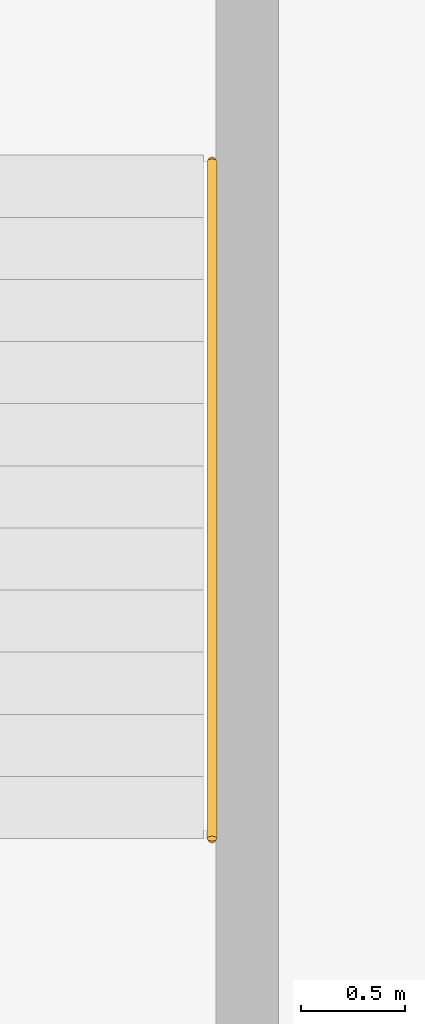
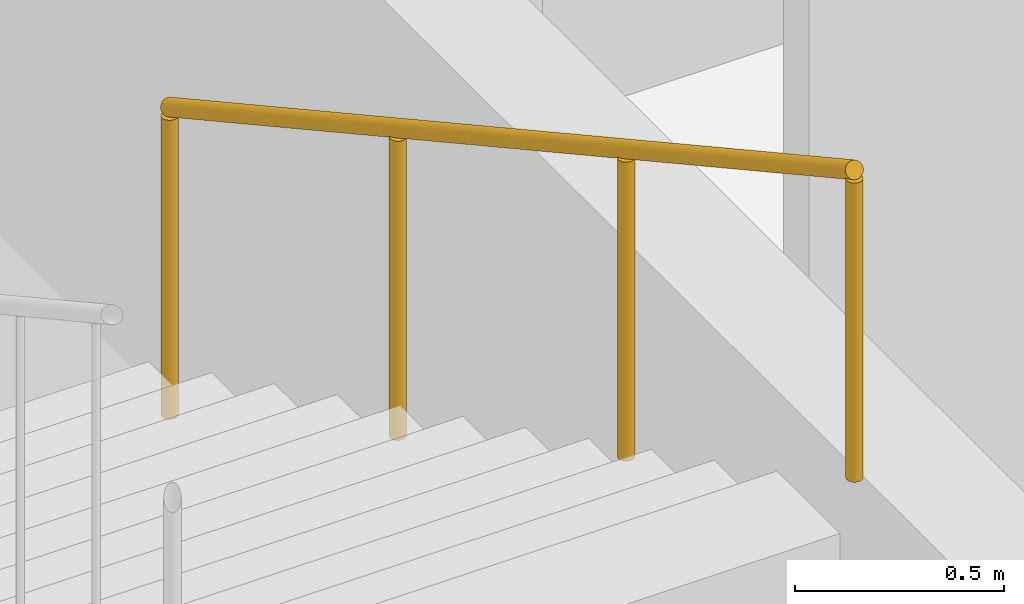
# One storey, part 20 of 20: 1 railing.
"""IFC4 building model written with IfcOpenShell, lengths in metres."""

from ifc_helpers import new_model, si_unit, derived_unit, direction, frame, origin, origin_2d, place, context, subcontext, project, spatial, circle, extrude, material, layer, layer_set, type_object, element, save


model = new_model("IFC4")

# Units and contexts
model_context = context("Model", 3, precision=1e-05, world=origin(), true_north=direction((0.0, 1.0)))
body_context = subcontext(model_context, "Body", "Model", "MODEL_VIEW")
ifc_project = project(units=[si_unit("LENGTHUNIT", "METRE"), si_unit("AREAUNIT", "SQUARE_METRE"), si_unit("VOLUMEUNIT", "CUBIC_METRE"), si_unit("PLANEANGLEUNIT", "RADIAN"), si_unit("MASSUNIT", "GRAM", prefix="KILO"), derived_unit("THERMALTRANSMITTANCEUNIT", [(si_unit("POWERUNIT", "WATT"), 1), (si_unit("LENGTHUNIT", "METRE"), -2), (si_unit("THERMODYNAMICTEMPERATUREUNIT", "KELVIN"), -1)])], contexts=[model_context])

# Site, building, storey
site_placement = place(None, origin())
site = spatial("IfcSite", under=ifc_project, at=site_placement, CompositionType="ELEMENT")
building_placement = place(site_placement, origin())
building = spatial("IfcBuilding", under=site, at=building_placement, Name="Barrovel Congress Hotel", CompositionType="ELEMENT")
storey_placement = place(building_placement, frame((0.0, 0.0, 36.300048828125)))
storey = spatial("IfcBuildingStorey", under=building, at=storey_placement, Name="L09", CompositionType="ELEMENT", Elevation=36.300048828125)

# Railing
ifc_material = material(Name="Brushed Stainless Steel", Category="steel")
ifc_layer = layer(ifc_material, 0.050048828125)
ifc_layer_set = layer_set([ifc_layer], Name="Brushed Stainless Steel")
railing_type = type_object("IfcRailingType", Name="RAIL-HAND", PredefinedType="HANDRAIL", material=ifc_layer_set)
railing_placement = place(storey_placement, frame((106.8798828125, 18.010009765625, 1.800048828125)))
element("IfcRailing", 1, at=railing_placement, inside=storey, type_object=railing_type, Name="STAIR:XS-03:L09:HR-2", PredefinedType="HANDRAIL", context=body_context, shape_type="SweptSolid", body=[
    extrude(circle(Radius=0.02392578125, at=origin_2d()), frame((0.0, 0.0, 0.89599609375), z_axis=(0.0, -0.87606948578, 0.482184877495), x_axis=(1.0, 0.0, 0.0)), (0.0, 0.0, 1.0), 3.732666015625),
    extrude(circle(Radius=0.02099609375, at=origin_2d()), origin(), (0.0, 0.0, 1.0), 0.871826171875),
    extrude(circle(Radius=0.02099609375, at=origin_2d()), frame((0.0, -1.090087890625, 0.599853515625)), (0.0, 0.0, 1.0), 0.871826171875),
    extrude(circle(Radius=0.02099609375, at=origin_2d()), frame((0.0, -2.179931640625, 1.199951171875)), (0.0, 0.0, 1.0), 0.871826171875),
    extrude(circle(Radius=0.02099609375, at=origin_2d()), frame((0.0, -3.27001953125, 1.7998046875)), (0.0, 0.0, 1.0), 0.871826171875),
])

save(model, "model.ifc")
